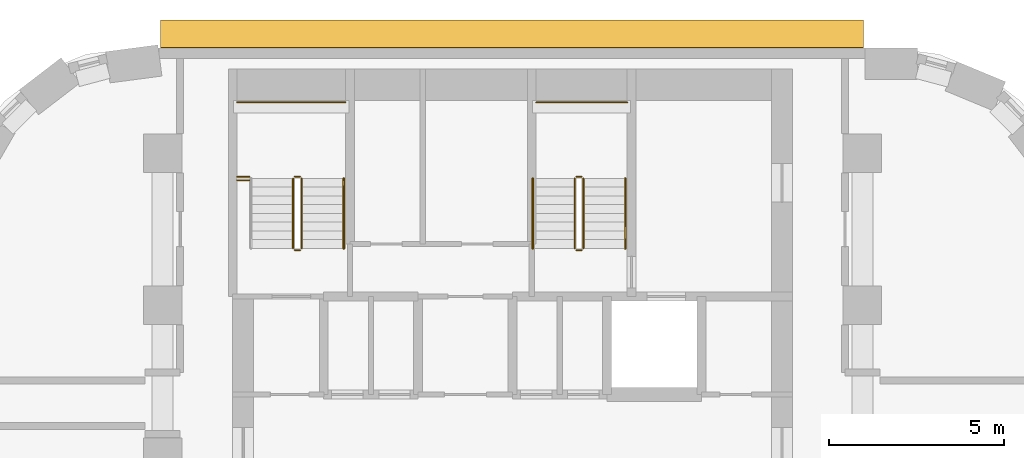
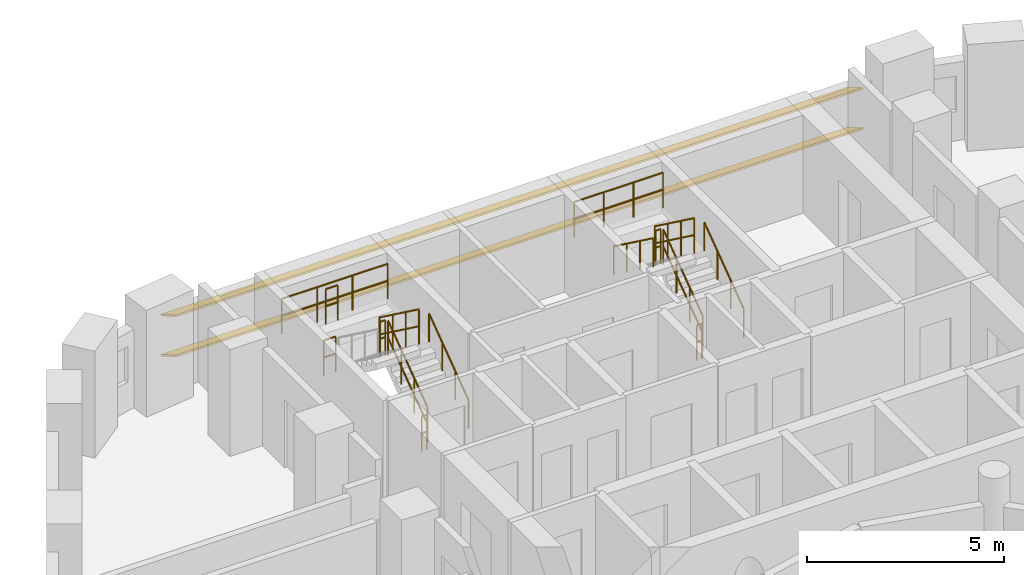
# One storey, part 12 of 12: 15 railings, 2 shading devices.
"""IFC4 building model written with IfcOpenShell, lengths in metres."""

from ifc_helpers import new_model, si_unit, direction, frame, origin, origin_2d, place, context, subcontext, project, spatial, rectangle, circle, extrude, material, material_profile, profile_set, type_object, element, save


model = new_model("IFC4")

# Units and contexts
model_context = context("Model", 3, precision=1e-05, world=origin(), true_north=direction((0.0, 1.0)))
body_context = subcontext(model_context, "Body", "Model", "MODEL_VIEW")
ifc_project = project(units=[si_unit("LENGTHUNIT", "METRE"), si_unit("AREAUNIT", "SQUARE_METRE"), si_unit("VOLUMEUNIT", "CUBIC_METRE"), si_unit("PLANEANGLEUNIT", "RADIAN"), si_unit("MASSUNIT", "GRAM", prefix="KILO")], contexts=[model_context])

# Site, building, storey
site_placement = place(None, origin())
site = spatial("IfcSite", under=ifc_project, at=site_placement, CompositionType="ELEMENT")
building_placement = place(site_placement, origin())
building = spatial("IfcBuilding", under=site, at=building_placement, Name="Nakaniwa Court", CompositionType="ELEMENT")
storey_placement = place(building_placement, frame((0.0, 0.0, 57.89990234375)))
storey = spatial("IfcBuildingStorey", under=building, at=storey_placement, Name="L15", CompositionType="ELEMENT", Elevation=57.89990234375)

# Shading devices
ifc_material_1 = material(Name="Perforated charcoal ceramic louvre blade")
ifc_material_profile = material_profile(ifc_material_1, rectangle(XDim=0.89990234375, YDim=0.050048828125, at=origin_2d()), Name="Perforated ceramic louvre blade")
ifc_profile_set = profile_set([ifc_material_profile], Name="Perforated charcoal ceramic louvre blade")
shading_device_type = type_object("IfcShadingDeviceType", Name="Perforated ceramic louvre blade", PredefinedType="JALOUSIE", material=ifc_profile_set)
for number, where, z_axis, x_axis, name in (
    (1, (90.02880859375, 104.402099609375, 0.550048828125), (-1.0, 0.0, 0.0), (0.0, -0.866025403784, 0.5), "L15 perforated ceramic louvre blade w08 1"),
    (2, (90.02880859375, 104.402099609375, 1.79345703125), (-1.0, 0.0, 0.0), (0.0, -0.866025403784, 0.5), "L15 perforated ceramic louvre blade w08 2"),
):
    element("IfcShadingDevice", number, at=place(storey_placement, frame(where, z_axis=z_axis, x_axis=x_axis)), inside=storey, type_object=shading_device_type, Name=name, PredefinedType="JALOUSIE", context=body_context, shape_type="SweptSolid", body=[
        extrude(rectangle(XDim=0.89990234375, YDim=0.050048828125, at=origin_2d()), origin(), (0.0, 0.0, 1.0), 20.090576171875),
    ])

# Railings
ifc_material_2 = material(Name="Black powder coated steel guard", Category="steel")
railing_type_1 = type_object("IfcRailingType", Name="Stair guard 1100", PredefinedType="GUARDRAIL", material=ifc_material_2)
railing_1_placement = place(storey_placement, frame((73.97509765625, 98.27490234375, 0.183349609375)))
element("IfcRailing", 3, at=railing_1_placement, inside=storey, type_object=railing_type_1, Name="L15 ST1 stair guard 1", PredefinedType="GUARDRAIL", context=body_context, shape_type="SweptSolid", body=[
    extrude(circle(Radius=0.02392578125, at=origin_2d()), frame((0.0, 0.0, 1.076171875), z_axis=(0.0, 0.806379959628, 0.591397802423), x_axis=(-1.0, 0.0, 0.0)), (0.0, 0.0, 1.0), 2.480224609375),
    extrude(circle(Radius=0.02392578125, at=origin_2d()), frame((0.0, 0.0, 0.550048828125), z_axis=(0.0, 0.806379959628, 0.591397802423), x_axis=(-1.0, 0.0, 0.0)), (0.0, 0.0, 1.0), 2.480224609375),
    extrude(circle(Radius=0.02099609375, at=origin_2d()), origin(), (0.0, 0.0, 1.0), 1.052001953125),
    extrude(circle(Radius=0.02099609375, at=origin_2d()), frame((0.0, 0.666748046875, 0.489013671875)), (0.0, 0.0, 1.0), 1.052001953125),
    extrude(circle(Radius=0.02099609375, at=origin_2d()), frame((0.0, 1.333251953125, 0.977783203125)), (0.0, 0.0, 1.0), 1.052001953125),
    extrude(circle(Radius=0.02099609375, at=origin_2d()), frame((0.0, 2.0, 1.466796875)), (0.0, 0.0, 1.0), 1.052001953125),
])
railing_2_placement = place(storey_placement, frame((73.925048828125, 100.324951171875, 1.650146484375)))
element("IfcRailing", 4, at=railing_2_placement, inside=storey, type_object=railing_type_1, Name="L15 ST1 stair guard 2", PredefinedType="GUARDRAIL", context=body_context, shape_type="SweptSolid", body=[
    extrude(circle(Radius=0.02392578125, at=origin_2d()), frame((0.0, 0.0, 1.076171875), z_axis=(-1.0, 0.0, 0.0), x_axis=(0.0, -1.0, 0.0)), (0.0, 0.0, 1.0), 0.150146484375),
    extrude(circle(Radius=0.02392578125, at=origin_2d()), frame((0.0, 0.0, 0.550048828125), z_axis=(-1.0, 0.0, 0.0), x_axis=(0.0, -1.0, 0.0)), (0.0, 0.0, 1.0), 0.150146484375),
    extrude(circle(Radius=0.02099609375, at=origin_2d()), origin(), (0.0, 0.0, 1.0), 1.052001953125),
    extrude(circle(Radius=0.02099609375, at=origin_2d()), frame((-0.150146484375, 0.0, 0.0)), (0.0, 0.0, 1.0), 1.052001953125),
])
railing_3_placement = place(storey_placement, frame((73.72509765625, 100.27490234375, 1.83349609375)))
element("IfcRailing", 5, at=railing_3_placement, inside=storey, type_object=railing_type_1, Name="L15 ST1 stair guard 3", PredefinedType="GUARDRAIL", context=body_context, shape_type="SweptSolid", body=[
    extrude(circle(Radius=0.02392578125, at=origin_2d()), frame((0.0, 0.0, 1.076171875), z_axis=(0.0, -0.806426902644, 0.591333789573), x_axis=(1.0, 0.0, 0.0)), (0.0, 0.0, 1.0), 2.47998046875),
    extrude(circle(Radius=0.02392578125, at=origin_2d()), frame((0.0, 0.0, 0.550048828125), z_axis=(0.0, -0.806426902644, 0.591333789573), x_axis=(1.0, 0.0, 0.0)), (0.0, 0.0, 1.0), 2.47998046875),
    extrude(circle(Radius=0.02099609375, at=origin_2d()), origin(), (0.0, 0.0, 1.0), 1.052001953125),
    extrude(circle(Radius=0.02099609375, at=origin_2d()), frame((0.0, -0.666748046875, 0.48876953125)), (0.0, 0.0, 1.0), 1.052001953125),
    extrude(circle(Radius=0.02099609375, at=origin_2d()), frame((0.0, -1.333251953125, 0.977783203125)), (0.0, 0.0, 1.0), 1.052001953125),
    extrude(circle(Radius=0.02099609375, at=origin_2d()), frame((0.0, -2.0, 1.466552734375)), (0.0, 0.0, 1.0), 1.052001953125),
])
railing_4_placement = place(storey_placement, frame((73.925048828125, 98.22509765625, 0.0)))
element("IfcRailing", 6, at=railing_4_placement, inside=storey, type_object=railing_type_1, Name="L15 ST1 stair guard 4", PredefinedType="GUARDRAIL", context=body_context, shape_type="SweptSolid", body=[
    extrude(circle(Radius=0.02392578125, at=origin_2d()), frame((0.0, 0.0, 1.076171875), z_axis=(-1.0, 0.0, 0.0), x_axis=(0.0, -1.0, 0.0)), (0.0, 0.0, 1.0), 0.150146484375),
    extrude(circle(Radius=0.02392578125, at=origin_2d()), frame((0.0, 0.0, 0.550048828125), z_axis=(-1.0, 0.0, 0.0), x_axis=(0.0, -1.0, 0.0)), (0.0, 0.0, 1.0), 0.150146484375),
    extrude(circle(Radius=0.02099609375, at=origin_2d()), origin(), (0.0, 0.0, 1.0), 1.052001953125),
    extrude(circle(Radius=0.02099609375, at=origin_2d()), frame((-0.150146484375, 0.0, 0.0)), (0.0, 0.0, 1.0), 1.052001953125),
])
railing_5_placement = place(storey_placement, frame((72.125, 102.449951171875, 1.650146484375)))
element("IfcRailing", 7, at=railing_5_placement, inside=storey, type_object=railing_type_1, Name="L15 ST1 landing end guard 1", PredefinedType="GUARDRAIL", context=body_context, shape_type="SweptSolid", body=[
    extrude(circle(Radius=0.02392578125, at=origin_2d()), frame((0.0, 0.0, 1.076171875), z_axis=(1.0, 0.0, 0.0), x_axis=(0.0, 1.0, 0.0)), (0.0, 0.0, 1.0), 3.10009765625),
    extrude(circle(Radius=0.02392578125, at=origin_2d()), frame((0.0, 0.0, 0.550048828125), z_axis=(1.0, 0.0, 0.0), x_axis=(0.0, 1.0, 0.0)), (0.0, 0.0, 1.0), 3.10009765625),
    extrude(circle(Radius=0.02099609375, at=origin_2d()), origin(), (0.0, 0.0, 1.0), 1.052001953125),
    extrude(circle(Radius=0.02099609375, at=origin_2d()), frame((1.033447265625, 0.0, 0.0)), (0.0, 0.0, 1.0), 1.052001953125),
    extrude(circle(Radius=0.02099609375, at=origin_2d()), frame((2.066650390625, 0.0, 0.0)), (0.0, 0.0, 1.0), 1.052001953125),
    extrude(circle(Radius=0.02099609375, at=origin_2d()), frame((3.10009765625, 0.0, 0.0)), (0.0, 0.0, 1.0), 1.052001953125),
])
for number, where, name in (
    (8, (72.125, 100.324951171875, 1.650146484375), "L15 ST1 landing side guard 1W"),
    (9, (72.125, 100.22509765625, 3.300048828125), "L15 ST1 floor edge guard 1W"),
):
    element("IfcRailing", number, at=place(storey_placement, frame(where)), inside=storey, type_object=railing_type_1, Name=name, PredefinedType="GUARDRAIL", context=body_context, shape_type="SweptSolid", body=[
        extrude(circle(Radius=0.02392578125, at=origin_2d()), frame((0.0, 0.0, 1.076171875), z_axis=(1.0, 0.0, 0.0), x_axis=(0.0, 1.0, 0.0)), (0.0, 0.0, 1.0), 0.35009765625),
        extrude(circle(Radius=0.02392578125, at=origin_2d()), frame((0.0, 0.0, 0.550048828125), z_axis=(1.0, 0.0, 0.0), x_axis=(0.0, 1.0, 0.0)), (0.0, 0.0, 1.0), 0.35009765625),
        extrude(circle(Radius=0.02099609375, at=origin_2d()), origin(), (0.0, 0.0, 1.0), 1.052001953125),
        extrude(circle(Radius=0.02099609375, at=origin_2d()), frame((0.35009765625, 0.0, 0.0)), (0.0, 0.0, 1.0), 1.052001953125),
    ])
railing_6_placement = place(storey_placement, frame((82.02490234375, 98.27490234375, 0.183349609375)))
element("IfcRailing", 10, at=railing_6_placement, inside=storey, type_object=railing_type_1, Name="L15 ST2 stair guard 1", PredefinedType="GUARDRAIL", context=body_context, shape_type="SweptSolid", body=[
    extrude(circle(Radius=0.02392578125, at=origin_2d()), frame((0.0, 0.0, 1.076171875), z_axis=(0.0, 0.806379959628, 0.591397802423), x_axis=(-1.0, 0.0, 0.0)), (0.0, 0.0, 1.0), 2.480224609375),
    extrude(circle(Radius=0.02392578125, at=origin_2d()), frame((0.0, 0.0, 0.550048828125), z_axis=(0.0, 0.806379959628, 0.591397802423), x_axis=(-1.0, 0.0, 0.0)), (0.0, 0.0, 1.0), 2.480224609375),
    extrude(circle(Radius=0.02099609375, at=origin_2d()), origin(), (0.0, 0.0, 1.0), 1.052001953125),
    extrude(circle(Radius=0.02099609375, at=origin_2d()), frame((0.0, 0.666748046875, 0.489013671875)), (0.0, 0.0, 1.0), 1.052001953125),
    extrude(circle(Radius=0.02099609375, at=origin_2d()), frame((0.0, 1.333251953125, 0.977783203125)), (0.0, 0.0, 1.0), 1.052001953125),
    extrude(circle(Radius=0.02099609375, at=origin_2d()), frame((0.0, 2.0, 1.466796875)), (0.0, 0.0, 1.0), 1.052001953125),
])
railing_7_placement = place(storey_placement, frame((81.97509765625, 100.324951171875, 1.650146484375)))
element("IfcRailing", 11, at=railing_7_placement, inside=storey, type_object=railing_type_1, Name="L15 ST2 stair guard 2", PredefinedType="GUARDRAIL", context=body_context, shape_type="SweptSolid", body=[
    extrude(circle(Radius=0.02392578125, at=origin_2d()), frame((0.0, 0.0, 1.076171875), z_axis=(-1.0, 0.0, 0.0), x_axis=(0.0, -1.0, 0.0)), (0.0, 0.0, 1.0), 0.150146484375),
    extrude(circle(Radius=0.02392578125, at=origin_2d()), frame((0.0, 0.0, 0.550048828125), z_axis=(-1.0, 0.0, 0.0), x_axis=(0.0, -1.0, 0.0)), (0.0, 0.0, 1.0), 0.150146484375),
    extrude(circle(Radius=0.02099609375, at=origin_2d()), origin(), (0.0, 0.0, 1.0), 1.052001953125),
    extrude(circle(Radius=0.02099609375, at=origin_2d()), frame((-0.150146484375, 0.0, 0.0)), (0.0, 0.0, 1.0), 1.052001953125),
])
railing_8_placement = place(storey_placement, frame((81.77490234375, 100.27490234375, 1.83349609375)))
element("IfcRailing", 12, at=railing_8_placement, inside=storey, type_object=railing_type_1, Name="L15 ST2 stair guard 3", PredefinedType="GUARDRAIL", context=body_context, shape_type="SweptSolid", body=[
    extrude(circle(Radius=0.02392578125, at=origin_2d()), frame((0.0, 0.0, 1.076171875), z_axis=(0.0, -0.806426902644, 0.591333789573), x_axis=(1.0, 0.0, 0.0)), (0.0, 0.0, 1.0), 2.47998046875),
    extrude(circle(Radius=0.02392578125, at=origin_2d()), frame((0.0, 0.0, 0.550048828125), z_axis=(0.0, -0.806426902644, 0.591333789573), x_axis=(1.0, 0.0, 0.0)), (0.0, 0.0, 1.0), 2.47998046875),
    extrude(circle(Radius=0.02099609375, at=origin_2d()), origin(), (0.0, 0.0, 1.0), 1.052001953125),
    extrude(circle(Radius=0.02099609375, at=origin_2d()), frame((0.0, -0.666748046875, 0.48876953125)), (0.0, 0.0, 1.0), 1.052001953125),
    extrude(circle(Radius=0.02099609375, at=origin_2d()), frame((0.0, -1.333251953125, 0.977783203125)), (0.0, 0.0, 1.0), 1.052001953125),
    extrude(circle(Radius=0.02099609375, at=origin_2d()), frame((0.0, -2.0, 1.466552734375)), (0.0, 0.0, 1.0), 1.052001953125),
])
railing_9_placement = place(storey_placement, frame((81.97509765625, 98.22509765625, 0.0)))
element("IfcRailing", 13, at=railing_9_placement, inside=storey, type_object=railing_type_1, Name="L15 ST2 stair guard 4", PredefinedType="GUARDRAIL", context=body_context, shape_type="SweptSolid", body=[
    extrude(circle(Radius=0.02392578125, at=origin_2d()), frame((0.0, 0.0, 1.076171875), z_axis=(-1.0, 0.0, 0.0), x_axis=(0.0, -1.0, 0.0)), (0.0, 0.0, 1.0), 0.150146484375),
    extrude(circle(Radius=0.02392578125, at=origin_2d()), frame((0.0, 0.0, 0.550048828125), z_axis=(-1.0, 0.0, 0.0), x_axis=(0.0, -1.0, 0.0)), (0.0, 0.0, 1.0), 0.150146484375),
    extrude(circle(Radius=0.02099609375, at=origin_2d()), origin(), (0.0, 0.0, 1.0), 1.052001953125),
    extrude(circle(Radius=0.02099609375, at=origin_2d()), frame((-0.150146484375, 0.0, 0.0)), (0.0, 0.0, 1.0), 1.052001953125),
])
railing_10_placement = place(storey_placement, frame((80.675048828125, 102.449951171875, 1.650146484375)))
element("IfcRailing", 14, at=railing_10_placement, inside=storey, type_object=railing_type_1, Name="L15 ST2 landing end guard 1", PredefinedType="GUARDRAIL", context=body_context, shape_type="SweptSolid", body=[
    extrude(circle(Radius=0.02392578125, at=origin_2d()), frame((0.0, 0.0, 1.076171875), z_axis=(1.0, 0.0, 0.0), x_axis=(0.0, 1.0, 0.0)), (0.0, 0.0, 1.0), 2.599853515625),
    extrude(circle(Radius=0.02392578125, at=origin_2d()), frame((0.0, 0.0, 0.550048828125), z_axis=(1.0, 0.0, 0.0), x_axis=(0.0, 1.0, 0.0)), (0.0, 0.0, 1.0), 2.599853515625),
    extrude(circle(Radius=0.02099609375, at=origin_2d()), origin(), (0.0, 0.0, 1.0), 1.052001953125),
    extrude(circle(Radius=0.02099609375, at=origin_2d()), frame((0.86669921875, 0.0, 0.0)), (0.0, 0.0, 1.0), 1.052001953125),
    extrude(circle(Radius=0.02099609375, at=origin_2d()), frame((1.733154296875, 0.0, 0.0)), (0.0, 0.0, 1.0), 1.052001953125),
    extrude(circle(Radius=0.02099609375, at=origin_2d()), frame((2.599853515625, 0.0, 0.0)), (0.0, 0.0, 1.0), 1.052001953125),
])
ifc_material_3 = material(Name="Black powder coated steel handrail", Category="steel")
railing_type_2 = type_object("IfcRailingType", Name="Stair handrail 900", PredefinedType="HANDRAIL", material=ifc_material_3)
for number, where, name in (
    (15, (75.175048828125, 98.27490234375, 0.183349609375), "L15 ST1 stair handrail 1"),
    (16, (83.22509765625, 98.27490234375, 0.183349609375), "L15 ST2 stair handrail 1"),
):
    element("IfcRailing", number, at=place(storey_placement, frame(where)), inside=storey, type_object=railing_type_2, Name=name, PredefinedType="HANDRAIL", context=body_context, shape_type="SweptSolid", body=[
        extrude(circle(Radius=0.02392578125, at=origin_2d()), frame((0.0, 0.0, 0.8759765625), z_axis=(0.0, 0.806379959628, 0.591397802423), x_axis=(-1.0, 0.0, 0.0)), (0.0, 0.0, 1.0), 2.480224609375),
        extrude(circle(Radius=0.02099609375, at=origin_2d()), origin(), (0.0, 0.0, 1.0), 0.851806640625),
        extrude(circle(Radius=0.02099609375, at=origin_2d()), frame((0.0, 0.666748046875, 0.489013671875)), (0.0, 0.0, 1.0), 0.851806640625),
        extrude(circle(Radius=0.02099609375, at=origin_2d()), frame((0.0, 1.333251953125, 0.977783203125)), (0.0, 0.0, 1.0), 0.851806640625),
        extrude(circle(Radius=0.02099609375, at=origin_2d()), frame((0.0, 2.0, 1.466796875)), (0.0, 0.0, 1.0), 0.851806640625),
    ])
railing_11_placement = place(storey_placement, frame((80.574951171875, 100.27490234375, 1.83349609375)))
element("IfcRailing", 17, at=railing_11_placement, inside=storey, type_object=railing_type_2, Name="L15 ST2 stair handrail 2", PredefinedType="HANDRAIL", context=body_context, shape_type="SweptSolid", body=[
    extrude(circle(Radius=0.02392578125, at=origin_2d()), frame((0.0, 0.0, 0.8759765625), z_axis=(0.0, -0.806426902644, 0.591333789573), x_axis=(1.0, 0.0, 0.0)), (0.0, 0.0, 1.0), 2.47998046875),
    extrude(circle(Radius=0.02099609375, at=origin_2d()), origin(), (0.0, 0.0, 1.0), 0.851806640625),
    extrude(circle(Radius=0.02099609375, at=origin_2d()), frame((0.0, -0.666748046875, 0.48876953125)), (0.0, 0.0, 1.0), 0.851806640625),
    extrude(circle(Radius=0.02099609375, at=origin_2d()), frame((0.0, -1.333251953125, 0.977783203125)), (0.0, 0.0, 1.0), 0.851806640625),
    extrude(circle(Radius=0.02099609375, at=origin_2d()), frame((0.0, -2.0, 1.466552734375)), (0.0, 0.0, 1.0), 0.851806640625),
])

save(model, "model.ifc")
